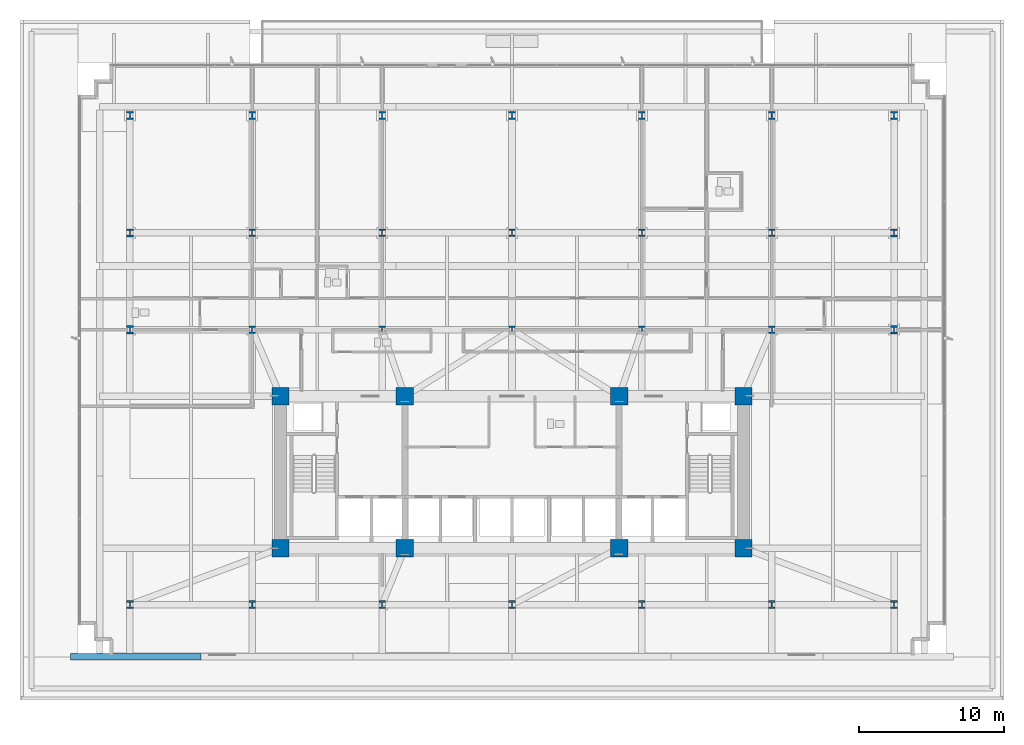
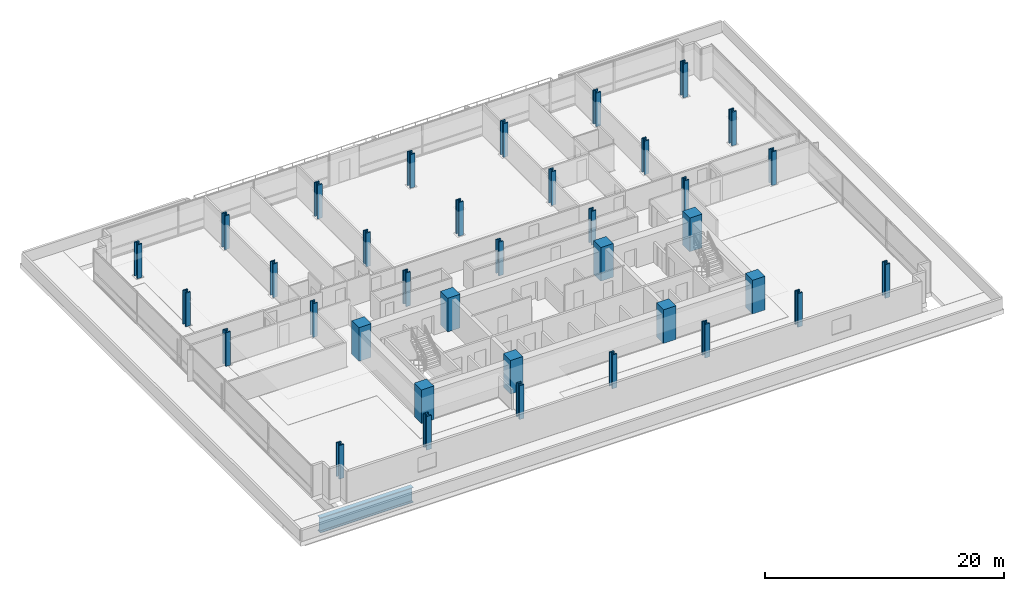
# One storey, part 1 of 25: 36 columns, 1 beam.
"""IFC4 building model written with IfcOpenShell, lengths in metres."""

from ifc_helpers import new_model, si_unit, direction, frame, origin, origin_2d, place, context, subcontext, project, spatial, rectangle, i_section, extrude, material, material_profile, profile_set, type_object, element, save


model = new_model("IFC4")

# Units and contexts
model_context = context("Model", 3, precision=1e-05, world=origin(), true_north=direction((0.0, 1.0)))
body_context = subcontext(model_context, "Body", "Model", "MODEL_VIEW")
ifc_project = project(units=[si_unit("LENGTHUNIT", "METRE"), si_unit("AREAUNIT", "SQUARE_METRE"), si_unit("VOLUMEUNIT", "CUBIC_METRE"), si_unit("PLANEANGLEUNIT", "RADIAN"), si_unit("MASSUNIT", "GRAM", prefix="KILO")], contexts=[model_context])

# Site, building, storey
site_placement = place(None, origin())
site = spatial("IfcSite", under=ifc_project, at=site_placement, CompositionType="ELEMENT")
building_placement = place(site_placement, origin())
building = spatial("IfcBuilding", under=site, at=building_placement, Name="Solmavex Isthmus Hotel", CompositionType="ELEMENT")
storey_placement = place(building_placement, frame((0.0, 0.0, 26.39990234375)))
storey = spatial("IfcBuildingStorey", under=building, at=storey_placement, Name="L06", CompositionType="ELEMENT", Elevation=26.39990234375)

# Columns
ifc_material_1 = material(Name="Concrete C70/85", Category="concrete")
ifc_material_profile_1 = material_profile(ifc_material_1, rectangle(XDim=1.199951171875, YDim=1.199951171875, at=origin_2d()), Name="RC1200X1200")
ifc_profile_set_1 = profile_set([ifc_material_profile_1], Name="Concrete C70/85")
column_type_1 = type_object("IfcColumnType", Name="COL-CC-1200", PredefinedType="COLUMN", material=ifc_profile_set_1)
for number, where, z_axis, x_axis, name in (
    (1, (-16.0, -13.0, 0.0), (0.0, 0.0, 1.0), (1.0, 0.0, 0.0), "Core Pilaster CC-SW L06"),
    (2, (-7.39990234375, -13.0, 0.0), (0.0, 0.0, 1.0), (1.0, 0.0, 0.0), "Core Pilaster CC-S1 L06"),
    (3, (7.39990234375, -13.0, 0.0), (0.0, 0.0, 1.0), (1.0, 0.0, 0.0), "Core Pilaster CC-S2 L06"),
    (4, (16.0, -13.0, 0.0), (0.0, 0.0, 1.0), (1.0, 0.0, 0.0), "Core Pilaster CC-SE L06"),
    (5, (-16.0, -2.5, 0.0), (0.0, 0.0, 1.0), (1.0, 0.0, 0.0), "Core Pilaster CC-NW L06"),
    (6, (-7.39990234375, -2.5, 0.0), (0.0, 0.0, 1.0), (1.0, 0.0, 0.0), "Core Pilaster CC-N1 L06"),
    (7, (7.39990234375, -2.5, 0.0), (0.0, 0.0, 1.0), (1.0, 0.0, 0.0), "Core Pilaster CC-N2 L06"),
    (8, (16.0, -2.5, 0.0), (0.0, 0.0, 1.0), (1.0, 0.0, 0.0), "Core Pilaster CC-NE L06"),
):
    element("IfcColumn", number, at=place(storey_placement, frame(where, z_axis=z_axis, x_axis=x_axis)), inside=storey, type_object=column_type_1, Name=name, PredefinedType="COLUMN", context=body_context, shape_type="SweptSolid", body=[
        extrude(rectangle(XDim=1.199951171875, YDim=1.199951171875, at=origin_2d()), origin(), (0.0, 0.0, 1.0), 3.4501953125),
    ])
ifc_material_2 = material(Name="Steel ASTM A913 Grade 65", Category="steel")
ifc_material_profile_2 = material_profile(ifc_material_2, i_section(OverallWidth=0.442138671875, OverallDepth=0.531494140625, WebThickness=0.06591796875, FlangeThickness=0.105712890625, FilletRadius=0.030517578125, at=origin_2d()), Name="W14X605")
ifc_profile_set_2 = profile_set([ifc_material_profile_2], Name="Steel ASTM A913 Grade 65")
column_type_2 = type_object("IfcColumnType", Name="COL-SC-W14X605", PredefinedType="COLUMN", material=ifc_profile_set_2)
for number, where, z_axis, x_axis, name in (
    (9, (-17.951904296875, 2.10009765625, 0.0), (0.0, 0.0, 1.0), (1.0, 0.0, 0.0), "Tower Column B1-U2V2 L06"),
    (10, (-17.951904296875, 8.7880859375, 0.0), (0.0, 0.0, 1.0), (1.0, 0.0, 0.0), "Tower Column B1-U2V3 L06"),
    (11, (-8.97607421875, 2.10009765625, 0.0), (0.0, 0.0, 1.0), (1.0, 0.0, 0.0), "Tower Column B1-U3V2 L06"),
    (12, (-8.97607421875, 8.7880859375, 0.0), (0.0, 0.0, 1.0), (1.0, 0.0, 0.0), "Tower Column B1-U3V3 L06"),
    (13, (0.0, 2.10009765625, 0.0), (0.0, 0.0, 1.0), (1.0, 0.0, 0.0), "Tower Column B1-U4V2 L06"),
    (14, (0.0, 8.7880859375, 0.0), (0.0, 0.0, 1.0), (1.0, 0.0, 0.0), "Tower Column B1-U4V3 L06"),
    (15, (8.97607421875, 2.10009765625, 0.0), (0.0, 0.0, 1.0), (1.0, 0.0, 0.0), "Tower Column B1-U5V2 L06"),
    (16, (8.97607421875, 8.7880859375, 0.0), (0.0, 0.0, 1.0), (1.0, 0.0, 0.0), "Tower Column B1-U5V3 L06"),
    (17, (17.951904296875, 2.10009765625, 0.0), (0.0, 0.0, 1.0), (1.0, 0.0, 0.0), "Tower Column B1-U6V2 L06"),
    (18, (17.951904296875, 8.7880859375, 0.0), (0.0, 0.0, 1.0), (1.0, 0.0, 0.0), "Tower Column B1-U6V3 L06"),
):
    element("IfcColumn", number, at=place(storey_placement, frame(where, z_axis=z_axis, x_axis=x_axis)), inside=storey, type_object=column_type_2, Name=name, PredefinedType="COLUMN", context=body_context, shape_type="SweptSolid", body=[
        extrude(i_section(OverallWidth=0.442138671875, OverallDepth=0.531494140625, WebThickness=0.06591796875, FlangeThickness=0.105712890625, FilletRadius=0.030517578125, at=origin_2d()), origin(), (0.0, 0.0, 1.0), 3.4501953125),
    ])
ifc_material_profile_3 = material_profile(ifc_material_2, i_section(OverallWidth=0.454345703125, OverallDepth=0.569091796875, WebThickness=0.077880859375, FlangeThickness=0.124755859375, FilletRadius=0.030517578125, at=origin_2d()), Name="W14X730")
ifc_profile_set_3 = profile_set([ifc_material_profile_3], Name="Steel ASTM A913 Grade 65")
column_type_3 = type_object("IfcColumnType", Name="COL-SC-W14X730", PredefinedType="COLUMN", material=ifc_profile_set_3)
for number, where, z_axis, x_axis, name in (
    (19, (-26.39990234375, -16.89990234375, 0.0), (0.0, 0.0, 1.0), (1.0, 0.0, 0.0), "Tower Column B1-U1V1 L06"),
    (20, (-26.39990234375, 2.10009765625, 0.0), (0.0, 0.0, 1.0), (1.0, 0.0, 0.0), "Tower Column B1-U1V2 L06"),
    (21, (-26.39990234375, 8.7880859375, 0.0), (0.0, 0.0, 1.0), (1.0, 0.0, 0.0), "Tower Column B1-U1V3 L06"),
    (22, (-26.39990234375, 16.89990234375, 0.0), (0.0, 0.0, 1.0), (1.0, 0.0, 0.0), "Tower Column B1-U1V4 L06"),
    (23, (-17.951904296875, -16.89990234375, 0.0), (0.0, 0.0, 1.0), (1.0, 0.0, 0.0), "Tower Column B1-U2V1 L06"),
    (24, (-17.951904296875, 16.89990234375, 0.0), (0.0, 0.0, 1.0), (1.0, 0.0, 0.0), "Tower Column B1-U2V4 L06"),
    (25, (-8.97607421875, -16.89990234375, 0.0), (0.0, 0.0, 1.0), (1.0, 0.0, 0.0), "Tower Column B1-U3V1 L06"),
    (26, (-8.97607421875, 16.89990234375, 0.0), (0.0, 0.0, 1.0), (1.0, 0.0, 0.0), "Tower Column B1-U3V4 L06"),
    (27, (0.0, -16.89990234375, 0.0), (0.0, 0.0, 1.0), (1.0, 0.0, 0.0), "Tower Column B1-U4V1 L06"),
    (28, (0.0, 16.89990234375, 0.0), (0.0, 0.0, 1.0), (1.0, 0.0, 0.0), "Tower Column B1-U4V4 L06"),
    (29, (8.97607421875, -16.89990234375, 0.0), (0.0, 0.0, 1.0), (1.0, 0.0, 0.0), "Tower Column B1-U5V1 L06"),
    (30, (8.97607421875, 16.89990234375, 0.0), (0.0, 0.0, 1.0), (1.0, 0.0, 0.0), "Tower Column B1-U5V4 L06"),
    (31, (17.951904296875, -16.89990234375, 0.0), (0.0, 0.0, 1.0), (1.0, 0.0, 0.0), "Tower Column B1-U6V1 L06"),
    (32, (17.951904296875, 16.89990234375, 0.0), (0.0, 0.0, 1.0), (1.0, 0.0, 0.0), "Tower Column B1-U6V4 L06"),
    (33, (26.39990234375, -16.89990234375, 0.0), (0.0, 0.0, 1.0), (1.0, 0.0, 0.0), "Tower Column B1-U7V1 L06"),
    (34, (26.39990234375, 2.10009765625, 0.0), (0.0, 0.0, 1.0), (1.0, 0.0, 0.0), "Tower Column B1-U7V2 L06"),
    (35, (26.39990234375, 8.7880859375, 0.0), (0.0, 0.0, 1.0), (1.0, 0.0, 0.0), "Tower Column B1-U7V3 L06"),
    (36, (26.39990234375, 16.89990234375, 0.0), (0.0, 0.0, 1.0), (1.0, 0.0, 0.0), "Tower Column B1-U7V4 L06"),
):
    element("IfcColumn", number, at=place(storey_placement, frame(where, z_axis=z_axis, x_axis=x_axis)), inside=storey, type_object=column_type_3, Name=name, PredefinedType="COLUMN", context=body_context, shape_type="SweptSolid", body=[
        extrude(i_section(OverallWidth=0.454345703125, OverallDepth=0.569091796875, WebThickness=0.077880859375, FlangeThickness=0.124755859375, FilletRadius=0.030517578125, at=origin_2d()), origin(), (0.0, 0.0, 1.0), 3.4501953125),
    ])

# Beam
ifc_material_3 = material(Name="Steel ASTM A572 Grade 50", Category="steel")
ifc_material_profile_4 = material_profile(ifc_material_3, i_section(OverallWidth=0.449951171875, OverallDepth=1.550048828125, WebThickness=0.031982421875, FlangeThickness=0.06494140625, FilletRadius=0.030517578125, at=origin_2d()), Name="I1550X450")
ifc_profile_set_4 = profile_set([ifc_material_profile_4], Name="Steel ASTM A572 Grade 50")
beam_type = type_object("IfcBeamType", Name="BM-TB-G1550", PredefinedType="BEAM", material=ifc_profile_set_4)
beam_placement = place(storey_placement, frame((-30.5, -20.5, -1.224853515625), z_axis=(1.0, 0.0, 0.0), x_axis=(0.0, 1.0, 0.0)))
element("IfcBeam", 37, at=beam_placement, inside=storey, type_object=beam_type, Name="Podium-to-Tower Mega Transfer Girder L06-MG01", PredefinedType="BEAM", context=body_context, shape_type="SweptSolid", body=[
    extrude(i_section(OverallWidth=0.449951171875, OverallDepth=1.550048828125, WebThickness=0.031982421875, FlangeThickness=0.06494140625, FilletRadius=0.030517578125, at=origin_2d()), origin(), (0.0, 0.0, 1.0), 9.0),
])

save(model, "model.ifc")
